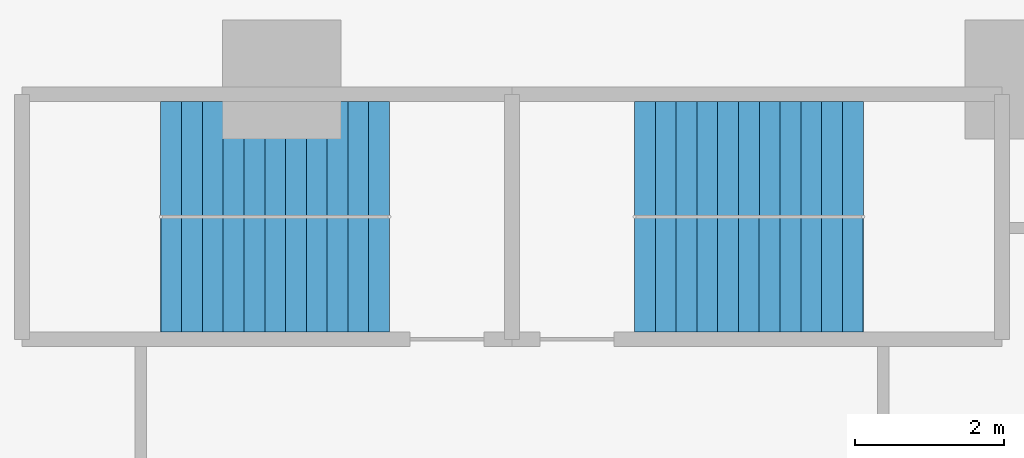
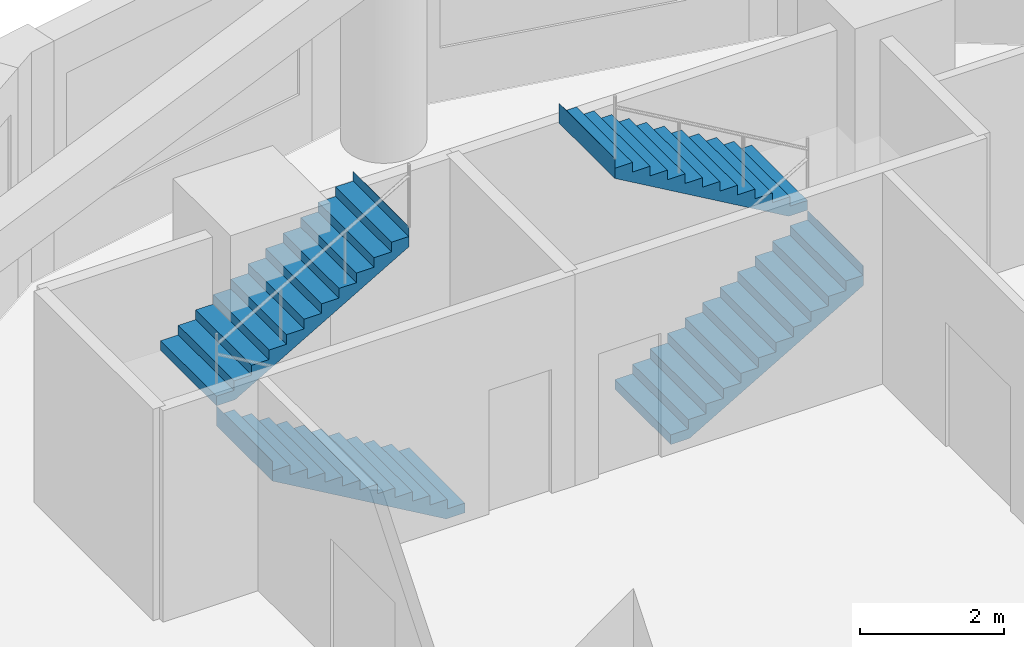
# One storey, part 8 of 10: 4 stair flights, 2 elements without a shape of their own.
"""IFC4 building model written with IfcOpenShell, lengths in metres."""

from ifc_helpers import new_model, si_unit, direction, frame, origin, place, context, subcontext, project, spatial, polyline, outline, extrude, material, type_object, element, aggregate, save


model = new_model("IFC4")

# Units and contexts
model_context = context("Model", 3, precision=1e-05, world=origin(), true_north=direction((0.0, 1.0)))
body_context = subcontext(model_context, "Body", "Model", "MODEL_VIEW")
ifc_project = project(units=[si_unit("LENGTHUNIT", "METRE"), si_unit("AREAUNIT", "SQUARE_METRE"), si_unit("VOLUMEUNIT", "CUBIC_METRE"), si_unit("PLANEANGLEUNIT", "RADIAN"), si_unit("MASSUNIT", "GRAM", prefix="KILO")], contexts=[model_context])

# Site, building, storey
site_placement = place(None, origin())
site = spatial("IfcSite", under=ifc_project, at=site_placement, CompositionType="ELEMENT")
building_placement = place(site_placement, origin())
building = spatial("IfcBuilding", under=site, at=building_placement, Name="Qaws Garden Tower", CompositionType="ELEMENT")
storey_placement = place(building_placement, frame((0.0, 0.0, 66.60009765625)))
storey = spatial("IfcBuildingStorey", under=building, at=storey_placement, Name="L16", CompositionType="ELEMENT", Elevation=66.60009765625)

# Stair, stair flights
ifc_material_1 = material(Name="Concrete C40", Category="concrete")
stair_type = type_object("IfcStairType", Name="Exit stair 1350", PredefinedType="HALF_TURN_STAIR", material=ifc_material_1)
placement = place(storey_placement, origin())
stair_1 = element("IfcStair", 1, at=placement, inside=storey, type_object=stair_type, Name="Stair 6", PredefinedType="HALF_TURN_STAIR")
ifc_material_2 = material(Name="Concrete C40", Category="concrete")
stair_flight_type = type_object("IfcStairFlightType", Name="Stair flight 1350", PredefinedType="STRAIGHT", material=ifc_material_2)
stair_flight_1_placement = place(storey_placement, frame((11.449951171875, 67.375, 0.0), z_axis=(0.0, 0.0, 1.0), x_axis=(-1.0, 0.0, 0.0)))
stair_flight_1 = element("IfcStairFlight", 2, at=stair_flight_1_placement, type_object=stair_flight_type, Name="ST6 flight 1", NumberOfRisers=12, NumberOfTreads=11, PredefinedType="STRAIGHT", RiserHeight=0.1625, TreadLength=0.28, context=body_context, shape_type="SweptSolid", body=[
    extrude(outline(polyline([(-0.0029296875, 0.0), (-0.0029296875, 0.16259765625), (0.0, 0.16259765625), (0.280029296875, 0.16259765625), (0.280029296875, 0.324951171875), (0.56005859375, 0.324951171875), (0.56005859375, 0.487548828125), (0.840087890625, 0.487548828125), (0.840087890625, 0.64990234375), (1.1201171875, 0.64990234375), (1.1201171875, 0.8125), (1.39990234375, 0.8125), (1.39990234375, 0.97509765625), (1.679931640625, 0.97509765625), (1.679931640625, 1.137451171875), (1.9599609375, 1.137451171875), (1.9599609375, 1.300048828125), (2.239990234375, 1.300048828125), (2.239990234375, 1.46240234375), (2.52001953125, 1.46240234375), (2.52001953125, 1.625), (2.800048828125, 1.625), (2.800048828125, 1.78759765625), (3.080078125, 1.78759765625), (3.080078125, 1.949951171875), (3.0830078125, 1.949951171875), (3.0830078125, 1.6142578125), (3.080078125, 1.6142578125), (0.298583984375, 0.0), (-0.0029296875, 0.0)])), frame((0.0, 0.77490234375, 0.0), z_axis=(0.0, -1.0, 0.0), x_axis=(1.0, 0.0, 0.0)), (0.0, 0.0, 1.0), 1.550048828125),
])
stair_flight_2_placement = place(storey_placement, frame((8.3701171875, 68.925048828125, 1.949951171875), z_axis=(0.0, 0.0, 1.0), x_axis=(1.0, 0.0, 0.0)))
stair_flight_2 = element("IfcStairFlight", 3, at=stair_flight_2_placement, type_object=stair_flight_type, Name="ST6 flight 2", NumberOfRisers=12, NumberOfTreads=11, PredefinedType="STRAIGHT", RiserHeight=0.1625, TreadLength=0.28, context=body_context, shape_type="SweptSolid", body=[
    extrude(outline(polyline([(-0.0029296875, 0.0), (-0.0029296875, 0.16259765625), (0.0, 0.16259765625), (0.280029296875, 0.16259765625), (0.280029296875, 0.324951171875), (0.56005859375, 0.324951171875), (0.56005859375, 0.487548828125), (0.840087890625, 0.487548828125), (0.840087890625, 0.64990234375), (1.1201171875, 0.64990234375), (1.1201171875, 0.8125), (1.39990234375, 0.8125), (1.39990234375, 0.97509765625), (1.679931640625, 0.97509765625), (1.679931640625, 1.137451171875), (1.9599609375, 1.137451171875), (1.9599609375, 1.300048828125), (2.239990234375, 1.300048828125), (2.239990234375, 1.46240234375), (2.52001953125, 1.46240234375), (2.52001953125, 1.625), (2.800048828125, 1.625), (2.800048828125, 1.78759765625), (3.080078125, 1.78759765625), (3.080078125, 1.949951171875), (3.0830078125, 1.949951171875), (3.0830078125, 1.6142578125), (3.080078125, 1.6142578125), (0.298583984375, 0.0), (-0.0029296875, 0.0)])), frame((0.0, 0.77490234375, 0.0), z_axis=(0.0, -1.0, 0.0), x_axis=(1.0, 0.0, 0.0)), (0.0, 0.0, 1.0), 1.550048828125),
])
aggregate(stair_1, [stair_flight_1, stair_flight_2])

stair_2 = element("IfcStair", 4, at=placement, inside=storey, type_object=stair_type, Name="Stair 7", PredefinedType="HALF_TURN_STAIR")
stair_flight_3_placement = place(storey_placement, frame((14.75, 67.375, 0.0), z_axis=(0.0, 0.0, 1.0), x_axis=(1.0, 0.0, 0.0)))
stair_flight_3 = element("IfcStairFlight", 5, at=stair_flight_3_placement, type_object=stair_flight_type, Name="ST7 flight 1", NumberOfRisers=12, NumberOfTreads=11, PredefinedType="STRAIGHT", RiserHeight=0.1625, TreadLength=0.28, context=body_context, shape_type="SweptSolid", body=[
    extrude(outline(polyline([(-0.0029296875, 0.0), (-0.0029296875, 0.16259765625), (0.0, 0.16259765625), (0.280029296875, 0.16259765625), (0.280029296875, 0.324951171875), (0.56005859375, 0.324951171875), (0.56005859375, 0.487548828125), (0.840087890625, 0.487548828125), (0.840087890625, 0.64990234375), (1.1201171875, 0.64990234375), (1.1201171875, 0.8125), (1.39990234375, 0.8125), (1.39990234375, 0.97509765625), (1.679931640625, 0.97509765625), (1.679931640625, 1.137451171875), (1.9599609375, 1.137451171875), (1.9599609375, 1.300048828125), (2.239990234375, 1.300048828125), (2.239990234375, 1.46240234375), (2.52001953125, 1.46240234375), (2.52001953125, 1.625), (2.800048828125, 1.625), (2.800048828125, 1.78759765625), (3.080078125, 1.78759765625), (3.080078125, 1.949951171875), (3.0830078125, 1.949951171875), (3.0830078125, 1.6142578125), (3.080078125, 1.6142578125), (0.298583984375, 0.0), (-0.0029296875, 0.0)])), frame((0.0, 0.77490234375, 0.0), z_axis=(0.0, -1.0, 0.0), x_axis=(1.0, 0.0, 0.0)), (0.0, 0.0, 1.0), 1.550048828125),
])
stair_flight_4_placement = place(storey_placement, frame((17.830078125, 68.925048828125, 1.949951171875), z_axis=(0.0, 0.0, 1.0), x_axis=(-1.0, 0.0, 0.0)))
stair_flight_4 = element("IfcStairFlight", 6, at=stair_flight_4_placement, type_object=stair_flight_type, Name="ST7 flight 2", NumberOfRisers=12, NumberOfTreads=11, PredefinedType="STRAIGHT", RiserHeight=0.1625, TreadLength=0.28, context=body_context, shape_type="SweptSolid", body=[
    extrude(outline(polyline([(-0.0029296875, 0.0), (-0.0029296875, 0.16259765625), (0.0, 0.16259765625), (0.280029296875, 0.16259765625), (0.280029296875, 0.324951171875), (0.56005859375, 0.324951171875), (0.56005859375, 0.487548828125), (0.840087890625, 0.487548828125), (0.840087890625, 0.64990234375), (1.1201171875, 0.64990234375), (1.1201171875, 0.8125), (1.39990234375, 0.8125), (1.39990234375, 0.97509765625), (1.679931640625, 0.97509765625), (1.679931640625, 1.137451171875), (1.9599609375, 1.137451171875), (1.9599609375, 1.300048828125), (2.239990234375, 1.300048828125), (2.239990234375, 1.46240234375), (2.52001953125, 1.46240234375), (2.52001953125, 1.625), (2.800048828125, 1.625), (2.800048828125, 1.78759765625), (3.080078125, 1.78759765625), (3.080078125, 1.949951171875), (3.0830078125, 1.949951171875), (3.0830078125, 1.6142578125), (3.080078125, 1.6142578125), (0.298583984375, 0.0), (-0.0029296875, 0.0)])), frame((0.0, 0.77490234375, 0.0), z_axis=(0.0, -1.0, 0.0), x_axis=(1.0, 0.0, 0.0)), (0.0, 0.0, 1.0), 1.550048828125),
])
aggregate(stair_2, [stair_flight_3, stair_flight_4])

save(model, "model.ifc")
